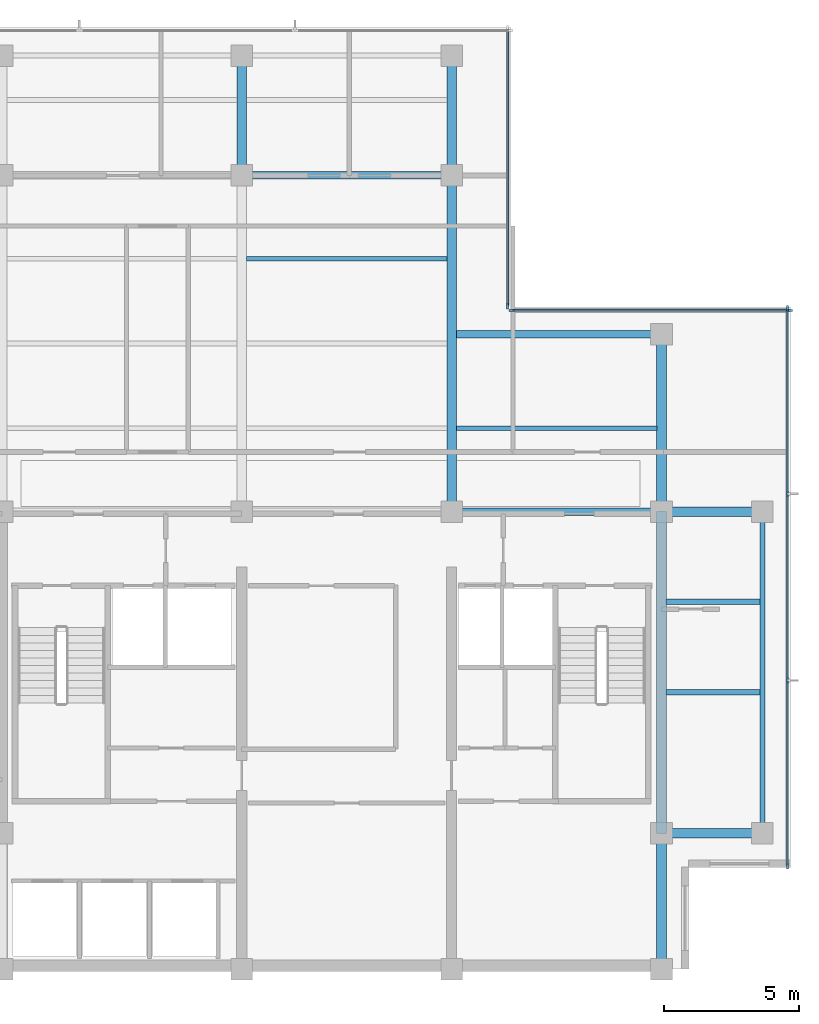
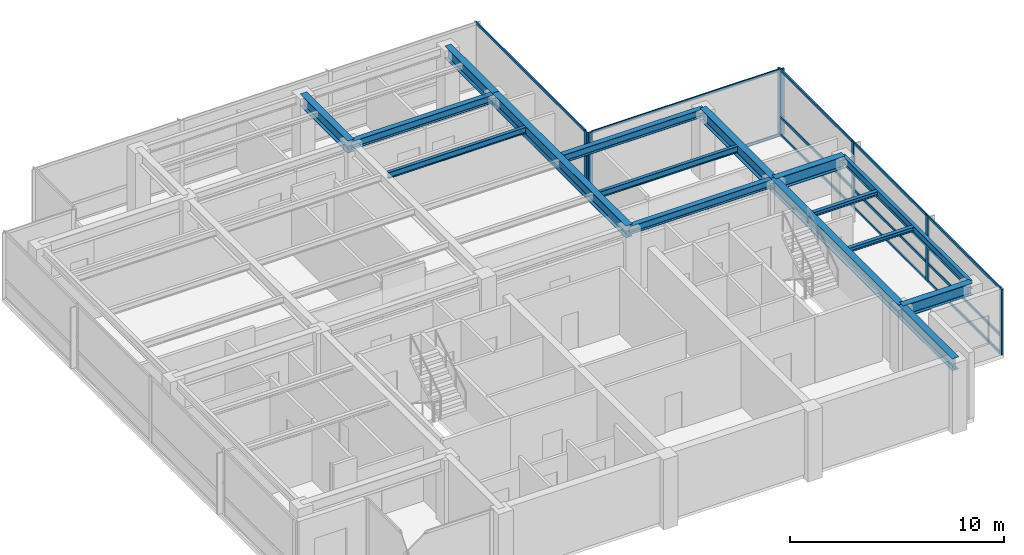
# One storey, part 3 of 11: 20 members, 16 beams, 3 elements without a shape of their own.
"""IFC4 building model written with IfcOpenShell, lengths in metres."""

from ifc_helpers import new_model, si_unit, direction, frame, origin, origin_2d, place, context, subcontext, project, spatial, rectangle, i_section, extrude, material, layer, layer_set, material_profile, profile_set, type_object, element, aggregate, save


model = new_model("IFC4")

# Units and contexts
model_context = context("Model", 3, precision=1e-05, world=origin(), true_north=direction((0.0, 1.0)))
body_context = subcontext(model_context, "Body", "Model", "MODEL_VIEW")
ifc_project = project(units=[si_unit("LENGTHUNIT", "METRE"), si_unit("AREAUNIT", "SQUARE_METRE"), si_unit("VOLUMEUNIT", "CUBIC_METRE"), si_unit("PLANEANGLEUNIT", "RADIAN"), si_unit("MASSUNIT", "GRAM", prefix="KILO")], contexts=[model_context])

# Site, building, storey
site_placement = place(None, origin())
site = spatial("IfcSite", under=ifc_project, at=site_placement, CompositionType="ELEMENT")
building_placement = place(site_placement, origin())
building = spatial("IfcBuilding", under=site, at=building_placement, Name="Qalmaran Belvedere Hotel", CompositionType="ELEMENT")
storey_placement = place(building_placement, frame((0.0, 0.0, 289.89990234375)))
storey = spatial("IfcBuildingStorey", under=building, at=storey_placement, Name="L75", CompositionType="ELEMENT", Elevation=289.89990234375)

# Beams
ifc_material_1 = material(Name="Steel S355JR", Category="steel")
ifc_material_profile_1 = material_profile(ifc_material_1, i_section(OverallWidth=0.201904296875, OverallDepth=0.2470703125, WebThickness=0.00732421875, FlangeThickness=0.010986328125, FilletRadius=0.011962890625, at=origin_2d()), Name="W250X49")
ifc_profile_set_1 = profile_set([ifc_material_profile_1], Name="Steel S355JR")
beam_type_1 = type_object("IfcBeamType", Name="BM-JST-W250X49", PredefinedType="JOIST", material=ifc_profile_set_1)
for number, where, z_axis, x_axis, name in (
    (1, (44.9755859375, 13.800048828125, 3.63671875), (1.0, 0.0, 0.0), (0.0, 1.0, 0.0), "L75 East Wing Joist 036"),
    (2, (44.9755859375, 17.14990234375, 3.63671875), (1.0, 0.0, 0.0), (0.0, 1.0, 0.0), "L75 East Wing Joist 038"),
):
    element("IfcBeam", number, at=place(storey_placement, frame(where, z_axis=z_axis, x_axis=x_axis)), inside=storey, type_object=beam_type_1, Name=name, PredefinedType="JOIST", context=body_context, shape_type="SweptSolid", body=[
        extrude(i_section(OverallWidth=0.201904296875, OverallDepth=0.2470703125, WebThickness=0.00732421875, FlangeThickness=0.010986328125, FilletRadius=0.011962890625, at=origin_2d()), origin(), (0.0, 0.0, 1.0), 3.48046875),
    ])
ifc_material_profile_2 = material_profile(ifc_material_1, i_section(OverallWidth=0.172119140625, OverallDepth=0.35791015625, WebThickness=0.0078125, FlangeThickness=0.01318359375, FilletRadius=0.014892578125, at=origin_2d()), Name="W360X57")
ifc_profile_set_2 = profile_set([ifc_material_profile_2], Name="Steel S355JR")
beam_type_2 = type_object("IfcBeamType", Name="BM-SB4-W360X57", PredefinedType="BEAM", material=ifc_profile_set_2)
for number, where, z_axis, x_axis, name in (
    (3, (37.175537109375, 23.60009765625, 3.5810546875), (1.0, 0.0, 0.0), (0.0, 1.0, 0.0), "L75 Secondary Floor Beam 027"),
    (4, (29.37548828125, 29.89990234375, 3.5810546875), (1.0, 0.0, 0.0), (0.0, 1.0, 0.0), "L75 Secondary Floor Beam 034"),
):
    element("IfcBeam", number, at=place(storey_placement, frame(where, z_axis=z_axis, x_axis=x_axis)), inside=storey, type_object=beam_type_2, Name=name, PredefinedType="BEAM", context=body_context, shape_type="SweptSolid", body=[
        extrude(i_section(OverallWidth=0.172119140625, OverallDepth=0.35791015625, WebThickness=0.0078125, FlangeThickness=0.01318359375, FilletRadius=0.014892578125, at=origin_2d()), origin(), (0.0, 0.0, 1.0), 7.448974609375),
    ])
ifc_material_profile_3 = material_profile(ifc_material_1, i_section(OverallWidth=0.19189453125, OverallDepth=0.462890625, WebThickness=0.010498046875, FlangeThickness=0.017578125, FilletRadius=0.01611328125, at=origin_2d()), Name="W460X89")
ifc_profile_set_3 = profile_set([ifc_material_profile_3], Name="Steel S355JR")
beam_type_3 = type_object("IfcBeamType", Name="BM-SP2-W460X89", PredefinedType="SPANDREL", material=ifc_profile_set_3)
beam_1_placement = place(storey_placement, frame((48.550048828125, 8.550048828125, 3.528564453125), z_axis=(0.0, 1.0, 0.0), x_axis=(-1.0, 0.0, 0.0)))
element("IfcBeam", 5, at=beam_1_placement, inside=storey, type_object=beam_type_3, Name="L75 Perimeter Spandrel 03", PredefinedType="SPANDREL", context=body_context, shape_type="SweptSolid", body=[
    extrude(i_section(OverallWidth=0.19189453125, OverallDepth=0.462890625, WebThickness=0.010498046875, FlangeThickness=0.017578125, FilletRadius=0.01611328125, at=origin_2d()), origin(), (0.0, 0.0, 1.0), 11.949951171875),
])
ifc_material_profile_4 = material_profile(ifc_material_1, i_section(OverallWidth=0.35498046875, OverallDepth=0.695068359375, WebThickness=0.015380859375, FlangeThickness=0.02490234375, FilletRadius=0.02197265625, at=origin_2d()), Name="W690X217")
ifc_profile_set_4 = profile_set([ifc_material_profile_4], Name="Steel S355JR")
beam_type_4 = type_object("IfcBeamType", Name="BM-Z1-W690X217", PredefinedType="USERDEFINED", material=ifc_profile_set_4)
beam_2_placement = place(storey_placement, frame((29.199951171875, 33.0, 3.41259765625), z_axis=(0.0, 1.0, 0.0), x_axis=(-1.0, 0.0, 0.0)))
element("IfcBeam", 6, at=beam_2_placement, inside=storey, type_object=beam_type_4, Name="L75 North Bay Girder 14", ObjectType="GIRDER", PredefinedType="USERDEFINED", context=body_context, shape_type="SweptSolid", body=[
    extrude(i_section(OverallWidth=0.35498046875, OverallDepth=0.695068359375, WebThickness=0.015380859375, FlangeThickness=0.02490234375, FilletRadius=0.02197265625, at=origin_2d()), origin(), (0.0, 0.0, 1.0), 4.449951171875),
])
beam_3_placement = place(storey_placement, frame((37.0, 20.5, 3.41259765625), z_axis=(0.0, 1.0, 0.0), x_axis=(-1.0, 0.0, 0.0)))
element("IfcBeam", 7, at=beam_3_placement, inside=storey, type_object=beam_type_4, Name="L75 Mid-Plate N-S Girder 15", ObjectType="GIRDER", PredefinedType="USERDEFINED", context=body_context, shape_type="SweptSolid", body=[
    extrude(i_section(OverallWidth=0.35498046875, OverallDepth=0.695068359375, WebThickness=0.015380859375, FlangeThickness=0.02490234375, FilletRadius=0.02197265625, at=origin_2d()), origin(), (0.0, 0.0, 1.0), 12.5),
])
beam_4_placement = place(storey_placement, frame((37.0, 33.0, 3.41259765625), z_axis=(0.0, 1.0, 0.0), x_axis=(-1.0, 0.0, 0.0)))
element("IfcBeam", 8, at=beam_4_placement, inside=storey, type_object=beam_type_4, Name="L75 North Bay Girder 16", ObjectType="GIRDER", PredefinedType="USERDEFINED", context=body_context, shape_type="SweptSolid", body=[
    extrude(i_section(OverallWidth=0.35498046875, OverallDepth=0.695068359375, WebThickness=0.015380859375, FlangeThickness=0.02490234375, FilletRadius=0.02197265625, at=origin_2d()), origin(), (0.0, 0.0, 1.0), 4.449951171875),
])
beam_5_placement = place(storey_placement, frame((44.800048828125, 20.5, 3.41259765625), z_axis=(0.0, 1.0, 0.0), x_axis=(-1.0, 0.0, 0.0)))
element("IfcBeam", 9, at=beam_5_placement, inside=storey, type_object=beam_type_4, Name="L75 Mid-Plate N-S Girder 17", ObjectType="GIRDER", PredefinedType="USERDEFINED", context=body_context, shape_type="SweptSolid", body=[
    extrude(i_section(OverallWidth=0.35498046875, OverallDepth=0.695068359375, WebThickness=0.015380859375, FlangeThickness=0.02490234375, FilletRadius=0.02197265625, at=origin_2d()), origin(), (0.0, 0.0, 1.0), 6.60009765625),
])
beam_6_placement = place(storey_placement, frame((44.800048828125, 3.5, 3.41259765625), z_axis=(0.0, 1.0, 0.0), x_axis=(-1.0, 0.0, 0.0)))
element("IfcBeam", 10, at=beam_6_placement, inside=storey, type_object=beam_type_4, Name="L75 East Core Edge Girder A", ObjectType="GIRDER", PredefinedType="USERDEFINED", context=body_context, shape_type="SweptSolid", body=[
    extrude(i_section(OverallWidth=0.35498046875, OverallDepth=0.695068359375, WebThickness=0.015380859375, FlangeThickness=0.02490234375, FilletRadius=0.02197265625, at=origin_2d()), origin(), (0.0, 0.0, 1.0), 5.050048828125),
])
beam_7_placement = place(storey_placement, frame((44.800048828125, 8.550048828125, 3.41259765625), z_axis=(0.0, 1.0, 0.0), x_axis=(-1.0, 0.0, 0.0)))
element("IfcBeam", 11, at=beam_7_placement, inside=storey, type_object=beam_type_4, Name="L75 East Core Edge Girder B", ObjectType="GIRDER", PredefinedType="USERDEFINED", context=body_context, shape_type="SweptSolid", body=[
    extrude(i_section(OverallWidth=0.35498046875, OverallDepth=0.695068359375, WebThickness=0.015380859375, FlangeThickness=0.02490234375, FilletRadius=0.02197265625, at=origin_2d()), origin(), (0.0, 0.0, 1.0), 11.949951171875),
])
for number, where, z_axis, x_axis, name in (
    (12, (44.800048828125, 8.550048828125, 3.41259765625), (1.0, 0.0, 0.0), (0.0, 1.0, 0.0), "L75 East Wing Girder 22"),
    (13, (44.800048828125, 20.5, 3.41259765625), (1.0, 0.0, 0.0), (0.0, 1.0, 0.0), "L75 East Wing Girder 23"),
):
    element("IfcBeam", number, at=place(storey_placement, frame(where, z_axis=z_axis, x_axis=x_axis)), inside=storey, type_object=beam_type_4, Name=name, ObjectType="GIRDER", PredefinedType="USERDEFINED", context=body_context, shape_type="SweptSolid", body=[
        extrude(i_section(OverallWidth=0.35498046875, OverallDepth=0.695068359375, WebThickness=0.015380859375, FlangeThickness=0.02490234375, FilletRadius=0.02197265625, at=origin_2d()), origin(), (0.0, 0.0, 1.0), 3.75),
    ])
ifc_material_profile_5 = material_profile(ifc_material_1, i_section(OverallWidth=0.280029296875, OverallDepth=0.462890625, WebThickness=0.0107421875, FlangeThickness=0.017333984375, FilletRadius=0.01611328125, at=origin_2d()), Name="W460X113")
ifc_profile_set_5 = profile_set([ifc_material_profile_5], Name="Steel S355JR")
beam_type_5 = type_object("IfcBeamType", Name="BM-Z5-W460X113", PredefinedType="USERDEFINED", material=ifc_profile_set_5)
for number, where, z_axis, x_axis, name in (
    (14, (37.0, 20.5, 3.528564453125), (1.0, 0.0, 0.0), (0.0, 1.0, 0.0), "L75 Interior E-W Girder 08"),
    (15, (29.199951171875, 33.0, 3.528564453125), (1.0, 0.0, 0.0), (0.0, 1.0, 0.0), "L75 Interior E-W Girder 10"),
):
    element("IfcBeam", number, at=place(storey_placement, frame(where, z_axis=z_axis, x_axis=x_axis)), inside=storey, type_object=beam_type_5, Name=name, ObjectType="GIRDER", PredefinedType="USERDEFINED", context=body_context, shape_type="SweptSolid", body=[
        extrude(i_section(OverallWidth=0.280029296875, OverallDepth=0.462890625, WebThickness=0.0107421875, FlangeThickness=0.017333984375, FilletRadius=0.01611328125, at=origin_2d()), origin(), (0.0, 0.0, 1.0), 7.800048828125),
    ])
beam_8_placement = place(storey_placement, frame((37.175537109375, 27.10009765625, 3.528564453125), z_axis=(1.0, 0.0, 0.0), x_axis=(0.0, 1.0, 0.0)))
element("IfcBeam", 16, at=beam_8_placement, inside=storey, type_object=beam_type_5, Name="L75 North-East Notch Rim Girder", ObjectType="GIRDER", PredefinedType="USERDEFINED", context=body_context, shape_type="SweptSolid", body=[
    extrude(i_section(OverallWidth=0.280029296875, OverallDepth=0.462890625, WebThickness=0.0107421875, FlangeThickness=0.017333984375, FilletRadius=0.01611328125, at=origin_2d()), origin(), (0.0, 0.0, 1.0), 7.62451171875),
])

# Curtain wall, members
ifc_material_2 = material(Name="Anodised Bronze Aluminium", Category="aluminium")
ifc_layer = layer(ifc_material_2, 0.205078125, Name="Anodised Bronze Aluminium")
ifc_layer_set = layer_set([ifc_layer], Name="Anodised Bronze Aluminium")
curtain_wall_type = type_object("IfcCurtainWallType", Name="CW7-CROWN-BELVEDERE", PredefinedType="NOTDEFINED", material=ifc_layer_set)
curtain_wall_1_placement = place(storey_placement, origin())
curtain_wall_1 = element("IfcCurtainWall", 17, at=curtain_wall_1_placement, inside=storey, type_object=curtain_wall_type, Name="L75 Curtain Wall CW7", PredefinedType="NOTDEFINED")
ifc_material_profile_6 = material_profile(ifc_material_2, rectangle(XDim=0.074951171875, YDim=0.219970703125, at=origin_2d()), Name="CWM75X220")
ifc_profile_set_6 = profile_set([ifc_material_profile_6], Name="Anodised Bronze Aluminium")
member_type_1 = type_object("IfcMemberType", Name="CWM-75X220", PredefinedType="MULLION", material=ifc_profile_set_6)
member_1_placement = place(storey_placement, frame((49.47998046875, 7.33740234375, 0.0), z_axis=(0.0, 0.0, 1.0), x_axis=(-1.0, 0.0, 0.0)))
member_1 = element("IfcMember", 18, at=member_1_placement, type_object=member_type_1, Name="CW7 mullion 1", PredefinedType="MULLION", context=body_context, shape_type="SweptSolid", body=[
    extrude(rectangle(XDim=0.074951171875, YDim=0.219970703125, at=origin_2d()), origin(), (0.0, 0.0, 1.0), 3.760009765625),
])
member_2_placement = place(storey_placement, frame((49.47998046875, 14.2333984375, 0.0), z_axis=(0.0, 0.0, 1.0), x_axis=(-1.0, 0.0, 0.0)))
member_2 = element("IfcMember", 19, at=member_2_placement, type_object=member_type_1, Name="CW7 mullion 2", PredefinedType="MULLION", context=body_context, shape_type="SweptSolid", body=[
    extrude(rectangle(XDim=0.074951171875, YDim=0.219970703125, at=origin_2d()), origin(), (0.0, 0.0, 1.0), 3.760009765625),
])
member_3_placement = place(storey_placement, frame((49.47998046875, 21.166748046875, 0.0), z_axis=(0.0, 0.0, 1.0), x_axis=(-1.0, 0.0, 0.0)))
member_3 = element("IfcMember", 20, at=member_3_placement, type_object=member_type_1, Name="CW7 mullion 3", PredefinedType="MULLION", context=body_context, shape_type="SweptSolid", body=[
    extrude(rectangle(XDim=0.074951171875, YDim=0.219970703125, at=origin_2d()), origin(), (0.0, 0.0, 1.0), 3.760009765625),
])
member_4_placement = place(storey_placement, frame((49.47998046875, 28.0625, 0.0), z_axis=(0.0, 0.0, 1.0), x_axis=(-1.0, 0.0, 0.0)))
member_4 = element("IfcMember", 21, at=member_4_placement, type_object=member_type_1, Name="CW7 mullion 4", PredefinedType="MULLION", context=body_context, shape_type="SweptSolid", body=[
    extrude(rectangle(XDim=0.074951171875, YDim=0.219970703125, at=origin_2d()), origin(), (0.0, 0.0, 1.0), 3.760009765625),
])

curtain_wall_2_placement = place(storey_placement, origin())
curtain_wall_2 = element("IfcCurtainWall", 22, at=curtain_wall_2_placement, inside=storey, type_object=curtain_wall_type, Name="L75 Curtain Wall CW7", PredefinedType="NOTDEFINED")
member_5_placement = place(storey_placement, frame((49.5625, 27.97998046875, 0.0), z_axis=(0.0, 0.0, 1.0), x_axis=(0.0, -1.0, 0.0)))
member_5 = element("IfcMember", 23, at=member_5_placement, type_object=member_type_1, Name="CW7 mullion 1", PredefinedType="MULLION", context=body_context, shape_type="SweptSolid", body=[
    extrude(rectangle(XDim=0.074951171875, YDim=0.219970703125, at=origin_2d()), origin(), (0.0, 0.0, 1.0), 3.760009765625),
])
member_6_placement = place(storey_placement, frame((39.237548828125, 27.97998046875, 0.0), z_axis=(0.0, 0.0, 1.0), x_axis=(0.0, -1.0, 0.0)))
member_6 = element("IfcMember", 24, at=member_6_placement, type_object=member_type_1, Name="CW7 mullion 2", PredefinedType="MULLION", context=body_context, shape_type="SweptSolid", body=[
    extrude(rectangle(XDim=0.074951171875, YDim=0.219970703125, at=origin_2d()), origin(), (0.0, 0.0, 1.0), 3.760009765625),
])

# Curtain wall, member
curtain_wall_3_placement = place(storey_placement, origin())
curtain_wall_3 = element("IfcCurtainWall", 25, at=curtain_wall_3_placement, inside=storey, type_object=curtain_wall_type, Name="L75 Curtain Wall CW7", PredefinedType="NOTDEFINED")
member_7_placement = place(storey_placement, frame((39.080078125, 28.137451171875, 0.0), z_axis=(0.0, 0.0, 1.0), x_axis=(-1.0, 0.0, 0.0)))
member_7 = element("IfcMember", 26, at=member_7_placement, type_object=member_type_1, Name="CW7 mullion 1", PredefinedType="MULLION", context=body_context, shape_type="SweptSolid", body=[
    extrude(rectangle(XDim=0.074951171875, YDim=0.219970703125, at=origin_2d()), origin(), (0.0, 0.0, 1.0), 3.760009765625),
])

# Member
ifc_material_profile_7 = material_profile(ifc_material_2, rectangle(XDim=0.070068359375, YDim=0.14990234375, at=origin_2d()), Name="CWT70X150")
ifc_profile_set_7 = profile_set([ifc_material_profile_7], Name="Anodised Bronze Aluminium")
member_type_2 = type_object("IfcMemberType", Name="CWT-70X150", PredefinedType="USERDEFINED", material=ifc_profile_set_7)
member_8_placement = place(storey_placement, frame((49.47998046875, 7.375, 0.03515625), z_axis=(0.0, 1.0, 0.0), x_axis=(-1.0, 0.0, 0.0)))
member_8 = element("IfcMember", 27, at=member_8_placement, type_object=member_type_2, Name="CW7 transom 1.1", ObjectType="TRANSOM", PredefinedType="USERDEFINED", context=body_context, shape_type="SweptSolid", body=[
    extrude(rectangle(XDim=0.070068359375, YDim=0.14990234375, at=origin_2d()), origin(), (0.0, 0.0, 1.0), 6.82080078125),
])

member_9_placement = place(storey_placement, frame((49.47998046875, 7.375, 1.052978515625), z_axis=(0.0, 1.0, 0.0), x_axis=(-1.0, 0.0, 0.0)))
member_9 = element("IfcMember", 28, at=member_9_placement, type_object=member_type_2, Name="CW7 transom 1.2", ObjectType="TRANSOM", PredefinedType="USERDEFINED", context=body_context, shape_type="SweptSolid", body=[
    extrude(rectangle(XDim=0.070068359375, YDim=0.14990234375, at=origin_2d()), origin(), (0.0, 0.0, 1.0), 6.82080078125),
])

member_10_placement = place(storey_placement, frame((49.47998046875, 7.375, 3.72509765625), z_axis=(0.0, 1.0, 0.0), x_axis=(-1.0, 0.0, 0.0)))
member_10 = element("IfcMember", 29, at=member_10_placement, type_object=member_type_2, Name="CW7 transom 1.3", ObjectType="TRANSOM", PredefinedType="USERDEFINED", context=body_context, shape_type="SweptSolid", body=[
    extrude(rectangle(XDim=0.070068359375, YDim=0.14990234375, at=origin_2d()), origin(), (0.0, 0.0, 1.0), 6.82080078125),
])

member_11_placement = place(storey_placement, frame((49.47998046875, 14.270751953125, 0.03515625), z_axis=(0.0, 1.0, 0.0), x_axis=(-1.0, 0.0, 0.0)))
member_11 = element("IfcMember", 30, at=member_11_placement, type_object=member_type_2, Name="CW7 transom 2.1", ObjectType="TRANSOM", PredefinedType="USERDEFINED", context=body_context, shape_type="SweptSolid", body=[
    extrude(rectangle(XDim=0.070068359375, YDim=0.14990234375, at=origin_2d()), origin(), (0.0, 0.0, 1.0), 6.8583984375),
])

member_12_placement = place(storey_placement, frame((49.47998046875, 14.270751953125, 1.052978515625), z_axis=(0.0, 1.0, 0.0), x_axis=(-1.0, 0.0, 0.0)))
member_12 = element("IfcMember", 31, at=member_12_placement, type_object=member_type_2, Name="CW7 transom 2.2", ObjectType="TRANSOM", PredefinedType="USERDEFINED", context=body_context, shape_type="SweptSolid", body=[
    extrude(rectangle(XDim=0.070068359375, YDim=0.14990234375, at=origin_2d()), origin(), (0.0, 0.0, 1.0), 6.8583984375),
])

member_13_placement = place(storey_placement, frame((49.47998046875, 14.270751953125, 3.72509765625), z_axis=(0.0, 1.0, 0.0), x_axis=(-1.0, 0.0, 0.0)))
member_13 = element("IfcMember", 32, at=member_13_placement, type_object=member_type_2, Name="CW7 transom 2.3", ObjectType="TRANSOM", PredefinedType="USERDEFINED", context=body_context, shape_type="SweptSolid", body=[
    extrude(rectangle(XDim=0.070068359375, YDim=0.14990234375, at=origin_2d()), origin(), (0.0, 0.0, 1.0), 6.8583984375),
])

member_14_placement = place(storey_placement, frame((49.47998046875, 21.2041015625, 0.03515625), z_axis=(0.0, 1.0, 0.0), x_axis=(-1.0, 0.0, 0.0)))
member_14 = element("IfcMember", 33, at=member_14_placement, type_object=member_type_2, Name="CW7 transom 3.1", ObjectType="TRANSOM", PredefinedType="USERDEFINED", context=body_context, shape_type="SweptSolid", body=[
    extrude(rectangle(XDim=0.070068359375, YDim=0.14990234375, at=origin_2d()), origin(), (0.0, 0.0, 1.0), 6.82080078125),
])

member_15_placement = place(storey_placement, frame((49.47998046875, 21.2041015625, 1.052978515625), z_axis=(0.0, 1.0, 0.0), x_axis=(-1.0, 0.0, 0.0)))
member_15 = element("IfcMember", 34, at=member_15_placement, type_object=member_type_2, Name="CW7 transom 3.2", ObjectType="TRANSOM", PredefinedType="USERDEFINED", context=body_context, shape_type="SweptSolid", body=[
    extrude(rectangle(XDim=0.070068359375, YDim=0.14990234375, at=origin_2d()), origin(), (0.0, 0.0, 1.0), 6.82080078125),
])

member_16_placement = place(storey_placement, frame((49.47998046875, 21.2041015625, 3.72509765625), z_axis=(0.0, 1.0, 0.0), x_axis=(-1.0, 0.0, 0.0)))
member_16 = element("IfcMember", 35, at=member_16_placement, type_object=member_type_2, Name="CW7 transom 3.3", ObjectType="TRANSOM", PredefinedType="USERDEFINED", context=body_context, shape_type="SweptSolid", body=[
    extrude(rectangle(XDim=0.070068359375, YDim=0.14990234375, at=origin_2d()), origin(), (0.0, 0.0, 1.0), 6.82080078125),
])

aggregate(curtain_wall_1, [member_1, member_2, member_3, member_4, member_8, member_9, member_10, member_11, member_12, member_13, member_14, member_15, member_16])

member_17_placement = place(storey_placement, frame((49.52490234375, 27.97998046875, 0.03515625), z_axis=(-1.0, 0.0, 0.0), x_axis=(0.0, -1.0, 0.0)))
member_17 = element("IfcMember", 36, at=member_17_placement, type_object=member_type_2, Name="CW7 transom 1.1", ObjectType="TRANSOM", PredefinedType="USERDEFINED", context=body_context, shape_type="SweptSolid", body=[
    extrude(rectangle(XDim=0.070068359375, YDim=0.14990234375, at=origin_2d()), origin(), (0.0, 0.0, 1.0), 10.25),
])

member_18_placement = place(storey_placement, frame((49.52490234375, 27.97998046875, 3.72509765625), z_axis=(-1.0, 0.0, 0.0), x_axis=(0.0, -1.0, 0.0)))
member_18 = element("IfcMember", 37, at=member_18_placement, type_object=member_type_2, Name="CW7 transom 1.2", ObjectType="TRANSOM", PredefinedType="USERDEFINED", context=body_context, shape_type="SweptSolid", body=[
    extrude(rectangle(XDim=0.070068359375, YDim=0.14990234375, at=origin_2d()), origin(), (0.0, 0.0, 1.0), 10.25),
])

aggregate(curtain_wall_2, [member_5, member_6, member_17, member_18])

member_19_placement = place(storey_placement, frame((39.080078125, 28.175048828125, 0.03515625), z_axis=(0.0, 1.0, 0.0), x_axis=(-1.0, 0.0, 0.0)))
member_19 = element("IfcMember", 38, at=member_19_placement, type_object=member_type_2, Name="CW7 transom 1.1", ObjectType="TRANSOM", PredefinedType="USERDEFINED", context=body_context, shape_type="SweptSolid", body=[
    extrude(rectangle(XDim=0.070068359375, YDim=0.14990234375, at=origin_2d()), origin(), (0.0, 0.0, 1.0), 10.25),
])

member_20_placement = place(storey_placement, frame((39.080078125, 28.175048828125, 3.72509765625), z_axis=(0.0, 1.0, 0.0), x_axis=(-1.0, 0.0, 0.0)))
member_20 = element("IfcMember", 39, at=member_20_placement, type_object=member_type_2, Name="CW7 transom 1.2", ObjectType="TRANSOM", PredefinedType="USERDEFINED", context=body_context, shape_type="SweptSolid", body=[
    extrude(rectangle(XDim=0.070068359375, YDim=0.14990234375, at=origin_2d()), origin(), (0.0, 0.0, 1.0), 10.25),
])

aggregate(curtain_wall_3, [member_7, member_19, member_20])

save(model, "model.ifc")
